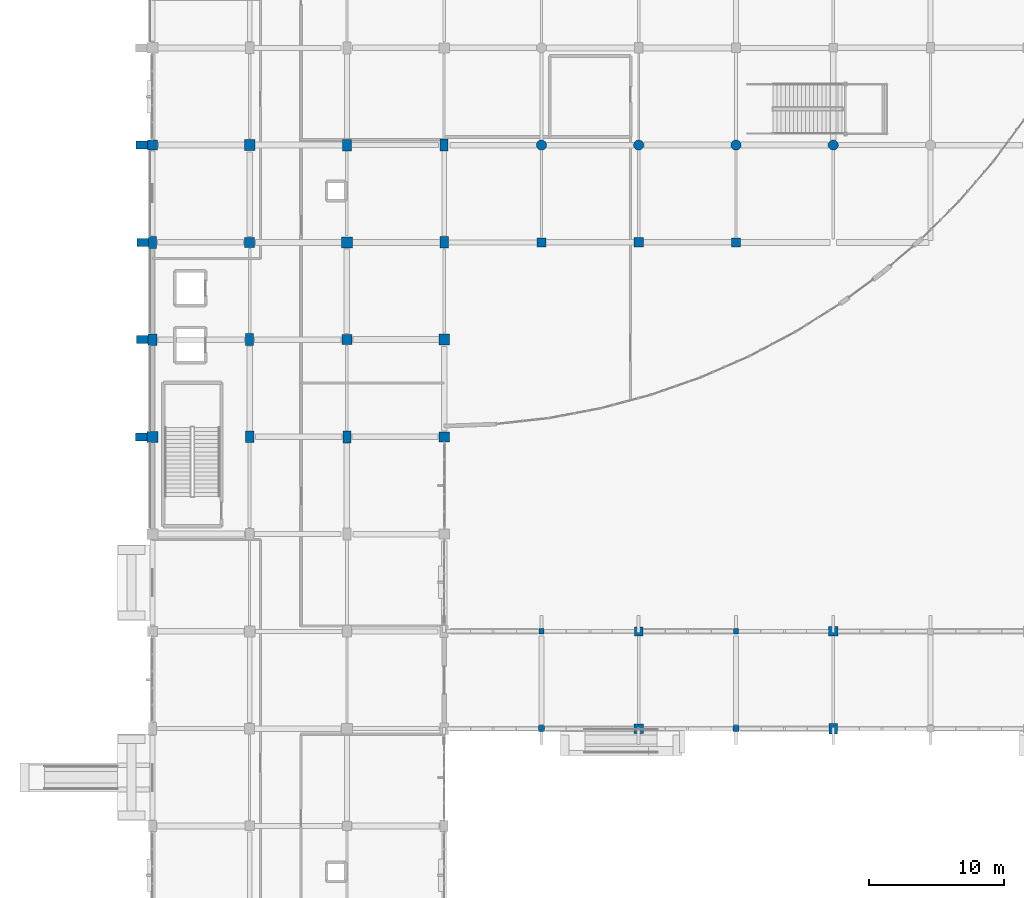
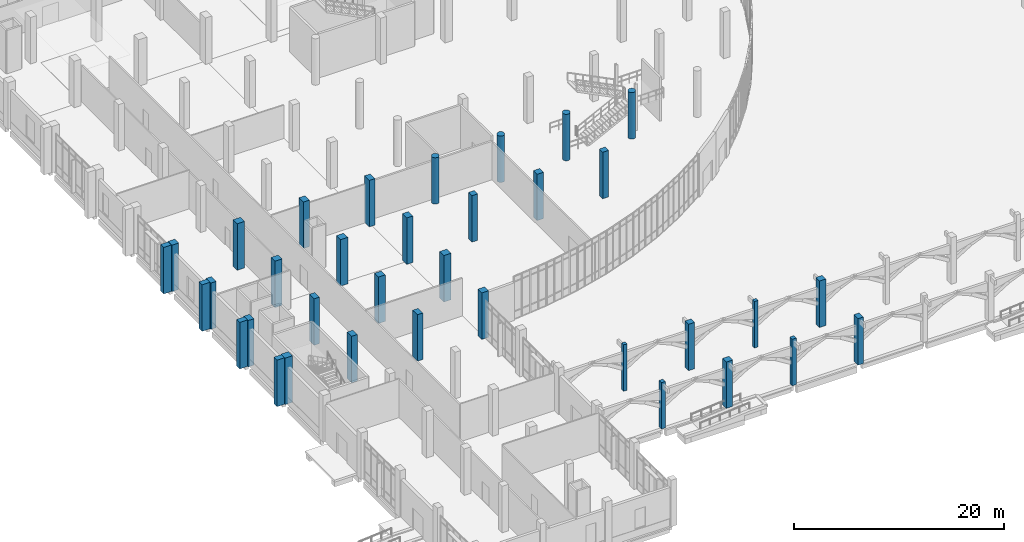
# One storey, part 2 of 110: 35 columns.
"""IFC4 building model written with IfcOpenShell, lengths in metres."""

from ifc_helpers import new_model, si_unit, direction, frame, origin, origin_2d, place, context, subcontext, project, spatial, rectangle, circle, extrude, material, material_profile, profile_set, type_object, element, save


model = new_model("IFC4")

# Units and contexts
model_context = context("Model", 3, precision=1e-05, world=origin(), true_north=direction((0.0, 1.0)))
body_context = subcontext(model_context, "Body", "Model", "MODEL_VIEW")
ifc_project = project(units=[si_unit("LENGTHUNIT", "METRE"), si_unit("AREAUNIT", "SQUARE_METRE"), si_unit("VOLUMEUNIT", "CUBIC_METRE"), si_unit("PLANEANGLEUNIT", "RADIAN"), si_unit("MASSUNIT", "GRAM", prefix="KILO")], contexts=[model_context])

# Site, building, storey
site_placement = place(None, origin())
site = spatial("IfcSite", under=ifc_project, at=site_placement, CompositionType="ELEMENT")
building_placement = place(site_placement, origin())
building = spatial("IfcBuilding", under=site, at=building_placement, Name="Kalluvel Institute of Natural Sciences", CompositionType="ELEMENT")
storey_placement = place(building_placement, origin())
storey = spatial("IfcBuildingStorey", under=building, at=storey_placement, Name="L00", CompositionType="ELEMENT", Elevation=0.0)

# Columns
ifc_material_1 = material(Name="Concrete M40", Category="concrete")
ifc_material_profile_1 = material_profile(ifc_material_1, rectangle(XDim=0.39990234375, YDim=0.39990234375, at=origin_2d()), Name="RC 400x400")
ifc_profile_set_1 = profile_set([ifc_material_profile_1], Name="Concrete M40")
column_type_1 = type_object("IfcColumnType", Name="COL-RC400", PredefinedType="COLUMN", material=ifc_profile_set_1)
for number, where, z_axis, x_axis, name in (
    (1, (42.800048828125, 35.60009765625, 0.0), (0.0, 0.0, 1.0), (1.0, 0.0, 0.0), "L00 structural column COL-L00-X428-Y356"),
    (2, (57.199951171875, 35.60009765625, 0.0), (0.0, 0.0, 1.0), (1.0, 0.0, 0.0), "L00 structural column COL-L00-X572-Y356"),
):
    element("IfcColumn", number, at=place(storey_placement, frame(where, z_axis=z_axis, x_axis=x_axis)), inside=storey, type_object=column_type_1, Name=name, PredefinedType="COLUMN", context=body_context, shape_type="SweptSolid", body=[
        extrude(rectangle(XDim=0.39990234375, YDim=0.39990234375, at=origin_2d()), origin(), (0.0, 0.0, 1.0), 5.39990234375),
    ])
ifc_material_profile_2 = material_profile(ifc_material_1, rectangle(XDim=0.449951171875, YDim=0.449951171875, at=origin_2d()), Name="RC 450x450")
ifc_profile_set_2 = profile_set([ifc_material_profile_2], Name="Concrete M40")
column_type_2 = type_object("IfcColumnType", Name="COL-RC450", PredefinedType="COLUMN", material=ifc_profile_set_2)
for number, where, z_axis, x_axis, name in (
    (3, (42.800048828125, 28.39990234375, 0.0), (0.0, 0.0, 1.0), (1.0, 0.0, 0.0), "L00 structural column COL-L00-X428-Y284"),
    (4, (57.199951171875, 28.39990234375, 0.0), (0.0, 0.0, 1.0), (1.0, 0.0, 0.0), "L00 structural column COL-L00-X572-Y284"),
):
    element("IfcColumn", number, at=place(storey_placement, frame(where, z_axis=z_axis, x_axis=x_axis)), inside=storey, type_object=column_type_2, Name=name, PredefinedType="COLUMN", context=body_context, shape_type="SweptSolid", body=[
        extrude(rectangle(XDim=0.449951171875, YDim=0.449951171875, at=origin_2d()), origin(), (0.0, 0.0, 1.0), 5.39990234375),
    ])
ifc_material_2 = material(Name="Concrete M50", Category="concrete")
ifc_material_profile_3 = material_profile(ifc_material_2, rectangle(XDim=0.60009765625, YDim=0.800048828125, at=origin_2d()), Name="RC 600x800")
ifc_profile_set_3 = profile_set([ifc_material_profile_3], Name="Concrete M50")
column_type_3 = type_object("IfcColumnType", Name="COL-RC600x800", PredefinedType="COLUMN", material=ifc_profile_set_3)
column_placement = place(storey_placement, frame((64.39990234375, 28.39990234375, 0.0), z_axis=(0.0, 0.0, 1.0), x_axis=(1.0, 0.0, 0.0)))
element("IfcColumn", 5, at=column_placement, inside=storey, type_object=column_type_3, Name="L00 structural column COL-L00-X644-Y284", PredefinedType="COLUMN", context=body_context, shape_type="SweptSolid", body=[
    extrude(rectangle(XDim=0.60009765625, YDim=0.800048828125, at=origin_2d()), origin(), (0.0, 0.0, 1.0), 5.39990234375),
])
ifc_material_profile_4 = material_profile(ifc_material_2, rectangle(XDim=0.60009765625, YDim=0.89990234375, at=origin_2d()), Name="RC 600x900")
ifc_profile_set_4 = profile_set([ifc_material_profile_4], Name="Concrete M50")
column_type_4 = type_object("IfcColumnType", Name="COL-RC600x900", PredefinedType="COLUMN", material=ifc_profile_set_4)
for number, where, z_axis, x_axis, name in (
    (6, (14.0, 64.39990234375, 0.0), (0.0, 0.0, 1.0), (1.0, 0.0, 0.0), "L00 structural column COL-L00-X140-Y644"),
    (7, (21.199951171875, 57.199951171875, 0.0), (0.0, 0.0, 1.0), (1.0, 0.0, 0.0), "L00 structural column COL-L00-X212-Y572"),
    (8, (28.39990234375, 50.0, 0.0), (0.0, 0.0, 1.0), (1.0, 0.0, 0.0), "L00 structural column COL-L00-X284-Y500"),
    (9, (35.60009765625, 71.60009765625, 0.0), (0.0, 0.0, 1.0), (1.0, 0.0, 0.0), "L00 structural column COL-L00-X356-Y716"),
):
    element("IfcColumn", number, at=place(storey_placement, frame(where, z_axis=z_axis, x_axis=x_axis)), inside=storey, type_object=column_type_4, Name=name, PredefinedType="COLUMN", context=body_context, shape_type="SweptSolid", body=[
        extrude(rectangle(XDim=0.60009765625, YDim=0.89990234375, at=origin_2d()), origin(), (0.0, 0.0, 1.0), 5.39990234375),
    ])
ifc_material_profile_5 = material_profile(ifc_material_1, rectangle(XDim=0.64990234375, YDim=0.64990234375, at=origin_2d()), Name="RC 650x650")
ifc_profile_set_5 = profile_set([ifc_material_profile_5], Name="Concrete M40")
column_type_5 = type_object("IfcColumnType", Name="COL-RC650", PredefinedType="COLUMN", material=ifc_profile_set_5)
for number, where, z_axis, x_axis, name in (
    (10, (42.800048828125, 64.39990234375, 0.0), (0.0, 0.0, 1.0), (1.0, 0.0, 0.0), "L00 structural column COL-L00-X428-Y644"),
    (11, (50.0, 35.60009765625, 0.0), (0.0, 0.0, 1.0), (1.0, 0.0, 0.0), "L00 structural column COL-L00-X500-Y356"),
    (12, (57.199951171875, 64.39990234375, 0.0), (0.0, 0.0, 1.0), (1.0, 0.0, 0.0), "L00 structural column COL-L00-X572-Y644"),
):
    element("IfcColumn", number, at=place(storey_placement, frame(where, z_axis=z_axis, x_axis=x_axis)), inside=storey, type_object=column_type_5, Name=name, PredefinedType="COLUMN", context=body_context, shape_type="SweptSolid", body=[
        extrude(rectangle(XDim=0.64990234375, YDim=0.64990234375, at=origin_2d()), origin(), (0.0, 0.0, 1.0), 5.39990234375),
    ])
ifc_material_profile_6 = material_profile(ifc_material_2, rectangle(XDim=0.64990234375, YDim=0.85009765625, at=origin_2d()), Name="RC 650x850")
ifc_profile_set_6 = profile_set([ifc_material_profile_6], Name="Concrete M50")
column_type_6 = type_object("IfcColumnType", Name="COL-RC650x850", PredefinedType="COLUMN", material=ifc_profile_set_6)
for number, where, z_axis, x_axis, name in (
    (13, (14.0, 57.199951171875, 0.0), (0.0, 0.0, 1.0), (1.0, 0.0, 0.0), "L00 structural column COL-L00-X140-Y572"),
    (14, (21.199951171875, 50.0, 0.0), (0.0, 0.0, 1.0), (1.0, 0.0, 0.0), "L00 structural column COL-L00-X212-Y500"),
    (15, (28.39990234375, 71.60009765625, 0.0), (0.0, 0.0, 1.0), (1.0, 0.0, 0.0), "L00 structural column COL-L00-X284-Y716"),
    (16, (35.60009765625, 64.39990234375, 0.0), (0.0, 0.0, 1.0), (1.0, 0.0, 0.0), "L00 structural column COL-L00-X356-Y644"),
):
    element("IfcColumn", number, at=place(storey_placement, frame(where, z_axis=z_axis, x_axis=x_axis)), inside=storey, type_object=column_type_6, Name=name, PredefinedType="COLUMN", context=body_context, shape_type="SweptSolid", body=[
        extrude(rectangle(XDim=0.64990234375, YDim=0.85009765625, at=origin_2d()), origin(), (0.0, 0.0, 1.0), 5.39990234375),
    ])
ifc_material_profile_7 = material_profile(ifc_material_1, rectangle(XDim=0.699951171875, YDim=0.699951171875, at=origin_2d()), Name="RC 700x700")
ifc_profile_set_7 = profile_set([ifc_material_profile_7], Name="Concrete M40")
column_type_7 = type_object("IfcColumnType", Name="COL-RC700", PredefinedType="COLUMN", material=ifc_profile_set_7)
for number, where, z_axis, x_axis, name in (
    (17, (50.0, 28.39990234375, 0.0), (0.0, 0.0, 1.0), (1.0, 0.0, 0.0), "L00 structural column COL-L00-X500-Y284"),
    (18, (50.0, 64.39990234375, 0.0), (0.0, 0.0, 1.0), (1.0, 0.0, 0.0), "L00 structural column COL-L00-X500-Y644"),
    (19, (64.39990234375, 35.60009765625, 0.0), (0.0, 0.0, 1.0), (1.0, 0.0, 0.0), "L00 structural column COL-L00-X644-Y356"),
):
    element("IfcColumn", number, at=place(storey_placement, frame(where, z_axis=z_axis, x_axis=x_axis)), inside=storey, type_object=column_type_7, Name=name, PredefinedType="COLUMN", context=body_context, shape_type="SweptSolid", body=[
        extrude(rectangle(XDim=0.699951171875, YDim=0.699951171875, at=origin_2d()), origin(), (0.0, 0.0, 1.0), 5.39990234375),
    ])
ifc_material_profile_8 = material_profile(ifc_material_2, rectangle(XDim=0.75, YDim=0.75, at=origin_2d()), Name="RC 750x750")
ifc_profile_set_8 = profile_set([ifc_material_profile_8], Name="Concrete M50")
column_type_8 = type_object("IfcColumnType", Name="COL-RC750", PredefinedType="COLUMN", material=ifc_profile_set_8)
for number, where, z_axis, x_axis, name in (
    (20, (14.0, 71.60009765625, 0.0), (0.0, 0.0, 1.0), (1.0, 0.0, 0.0), "L00 structural column COL-L00-X140-Y716"),
    (21, (21.199951171875, 64.39990234375, 0.0), (0.0, 0.0, 1.0), (1.0, 0.0, 0.0), "L00 structural column COL-L00-X212-Y644"),
    (22, (28.39990234375, 57.199951171875, 0.0), (0.0, 0.0, 1.0), (1.0, 0.0, 0.0), "L00 structural column COL-L00-X284-Y572"),
    (23, (35.60009765625, 50.0, 0.0), (0.0, 0.0, 1.0), (1.0, 0.0, 0.0), "L00 structural column COL-L00-X356-Y500"),
):
    element("IfcColumn", number, at=place(storey_placement, frame(where, z_axis=z_axis, x_axis=x_axis)), inside=storey, type_object=column_type_8, Name=name, PredefinedType="COLUMN", context=body_context, shape_type="SweptSolid", body=[
        extrude(rectangle(XDim=0.75, YDim=0.75, at=origin_2d()), origin(), (0.0, 0.0, 1.0), 5.39990234375),
    ])
ifc_material_profile_9 = material_profile(ifc_material_2, rectangle(XDim=0.800048828125, YDim=0.800048828125, at=origin_2d()), Name="RC 800x800")
ifc_profile_set_9 = profile_set([ifc_material_profile_9], Name="Concrete M50")
column_type_9 = type_object("IfcColumnType", Name="COL-RC800", PredefinedType="COLUMN", material=ifc_profile_set_9)
for number, where, z_axis, x_axis, name in (
    (24, (14.0, 50.0, 0.0), (0.0, 0.0, 1.0), (1.0, 0.0, 0.0), "L00 structural column COL-L00-X140-Y500"),
    (25, (21.199951171875, 71.60009765625, 0.0), (0.0, 0.0, 1.0), (1.0, 0.0, 0.0), "L00 structural column COL-L00-X212-Y716"),
    (26, (28.39990234375, 64.39990234375, 0.0), (0.0, 0.0, 1.0), (1.0, 0.0, 0.0), "L00 structural column COL-L00-X284-Y644"),
    (27, (35.60009765625, 57.199951171875, 0.0), (0.0, 0.0, 1.0), (1.0, 0.0, 0.0), "L00 structural column COL-L00-X356-Y572"),
):
    element("IfcColumn", number, at=place(storey_placement, frame(where, z_axis=z_axis, x_axis=x_axis)), inside=storey, type_object=column_type_9, Name=name, PredefinedType="COLUMN", context=body_context, shape_type="SweptSolid", body=[
        extrude(rectangle(XDim=0.800048828125, YDim=0.800048828125, at=origin_2d()), origin(), (0.0, 0.0, 1.0), 5.39990234375),
    ])
ifc_material_profile_10 = material_profile(ifc_material_2, circle(Radius=0.375, at=origin_2d()), Name="RCCOL D750")
ifc_profile_set_10 = profile_set([ifc_material_profile_10], Name="Concrete M50")
column_type_10 = type_object("IfcColumnType", Name="COL-RCD750", PredefinedType="COLUMN", material=ifc_profile_set_10)
for number, where, z_axis, x_axis, name in (
    (28, (42.800048828125, 71.60009765625, 0.0), (0.0, 0.0, 1.0), (1.0, 0.0, 0.0), "L00 structural column COL-L00-X428-Y716"),
    (29, (50.0, 71.60009765625, 0.0), (0.0, 0.0, 1.0), (1.0, 0.0, 0.0), "L00 structural column COL-L00-X500-Y716"),
    (30, (57.199951171875, 71.60009765625, 0.0), (0.0, 0.0, 1.0), (1.0, 0.0, 0.0), "L00 structural column COL-L00-X572-Y716"),
    (31, (64.39990234375, 71.60009765625, 0.0), (0.0, 0.0, 1.0), (1.0, 0.0, 0.0), "L00 structural column COL-L00-X644-Y716"),
):
    element("IfcColumn", number, at=place(storey_placement, frame(where, z_axis=z_axis, x_axis=x_axis)), inside=storey, type_object=column_type_10, Name=name, PredefinedType="COLUMN", context=body_context, shape_type="SweptSolid", body=[
        extrude(circle(Radius=0.375, at=origin_2d()), origin(), (0.0, 0.0, 1.0), 5.39990234375),
    ])
ifc_material_3 = material(Name="Sadarahalli Granite Precast Concrete M45", Category="masonry")
ifc_material_profile_11 = material_profile(ifc_material_3, rectangle(XDim=0.60009765625, YDim=0.85009765625, at=origin_2d()), Name="PIL 600x850")
ifc_profile_set_11 = profile_set([ifc_material_profile_11], Name="Sadarahalli Granite Precast Concrete M45")
column_type_11 = type_object("IfcColumnType", Name="PIL-600x850", PredefinedType="PILASTER", material=ifc_profile_set_11)
for number, where, z_axis, x_axis, name in (
    (32, (13.172119140625, 50.0, 0.0), (0.0, 0.0, 1.0), (0.0, 1.0, 0.0), "L00 Gothic stepped Sadarahalli granite buttress 78"),
    (33, (13.2470703125, 57.199951171875, 0.0), (0.0, 0.0, 1.0), (0.0, 1.0, 0.0), "L00 Gothic stepped Sadarahalli granite buttress 86"),
    (34, (13.27197265625, 64.39990234375, 0.0), (0.0, 0.0, 1.0), (0.0, 1.0, 0.0), "L00 Gothic stepped Sadarahalli granite buttress 94"),
    (35, (13.197021484375, 71.60009765625, 0.0), (0.0, 0.0, 1.0), (0.0, 1.0, 0.0), "L00 Gothic stepped Sadarahalli granite buttress 102"),
):
    element("IfcColumn", number, at=place(storey_placement, frame(where, z_axis=z_axis, x_axis=x_axis)), inside=storey, type_object=column_type_11, Name=name, PredefinedType="PILASTER", context=body_context, shape_type="SweptSolid", body=[
        extrude(rectangle(XDim=0.60009765625, YDim=0.85009765625, at=origin_2d()), origin(), (0.0, 0.0, 1.0), 5.39990234375),
    ])

save(model, "model.ifc")
